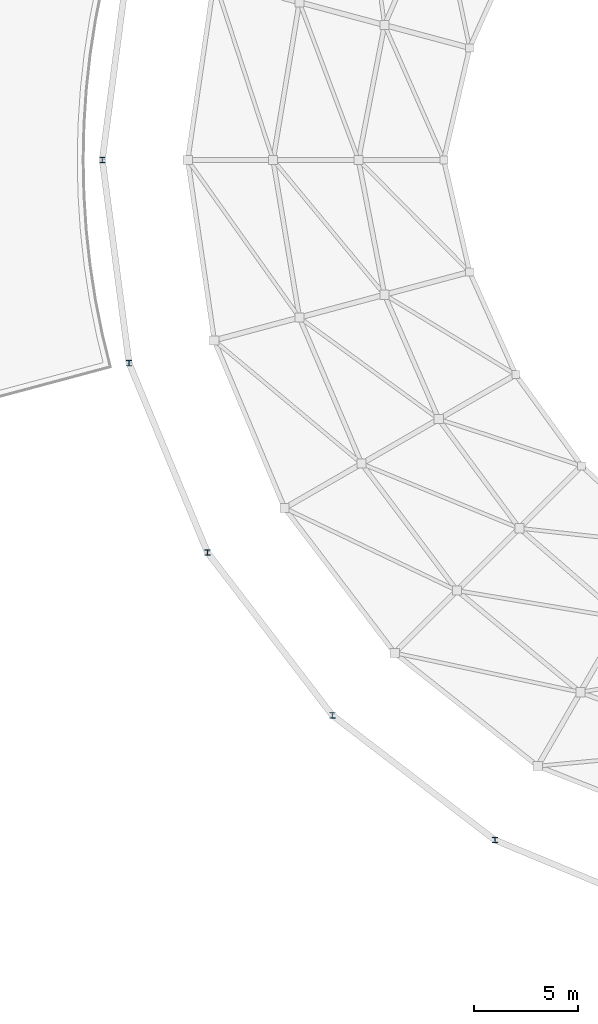
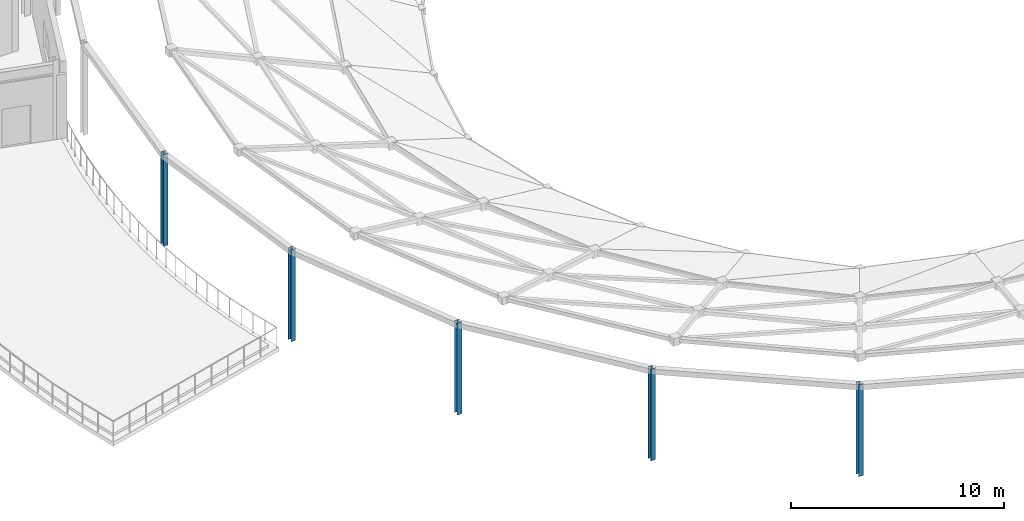
# One storey, part 1 of 89: 5 columns.
"""IFC4 building model written with IfcOpenShell, lengths in metres."""

from ifc_helpers import new_model, si_unit, direction, frame, origin, origin_2d, place, context, subcontext, project, spatial, i_section, extrude, material, material_profile, profile_set, type_object, element, save


model = new_model("IFC4")

# Units and contexts
model_context = context("Model", 3, precision=1e-05, world=origin(), true_north=direction((0.0, 1.0)))
body_context = subcontext(model_context, "Body", "Model", "MODEL_VIEW")
ifc_project = project(units=[si_unit("LENGTHUNIT", "METRE"), si_unit("AREAUNIT", "SQUARE_METRE"), si_unit("VOLUMEUNIT", "CUBIC_METRE"), si_unit("PLANEANGLEUNIT", "RADIAN"), si_unit("MASSUNIT", "GRAM", prefix="KILO")], contexts=[model_context])

# Site, building, storey
site_placement = place(None, origin())
site = spatial("IfcSite", under=ifc_project, at=site_placement, CompositionType="ELEMENT")
building_placement = place(site_placement, origin())
building = spatial("IfcBuilding", under=site, at=building_placement, Name="Almandine Court Research Institute", CompositionType="ELEMENT")
storey_placement = place(building_placement, frame((0.0, 0.0, 18.89990234375)))
storey = spatial("IfcBuildingStorey", under=building, at=storey_placement, Name="L04", CompositionType="ELEMENT", Elevation=18.89990234375)

# Columns
ifc_material = material(Name="Steel ASTM A992 Grade 50", Category="steel")
ifc_material_profile = material_profile(ifc_material, i_section(OverallWidth=0.257080078125, OverallDepth=0.263916015625, WebThickness=0.011962890625, FlangeThickness=0.02001953125, at=origin_2d()), Name="W250x101")
ifc_profile_set = profile_set([ifc_material_profile], Name="Steel ASTM A992 Grade 50")
column_type = type_object("IfcColumnType", Name="Col-C-W09-E", PredefinedType="COLUMN", material=ifc_profile_set)
for number, where, z_axis, x_axis, name in (
    (1, (49.35009765625, 56.0, 0.0), (0.0, 0.0, 1.0), (1.0, 0.0, 0.0), "L04 V2 Column V2-OUT-S12"),
    (2, (50.633056640625, 46.2548828125, 0.0), (0.0, 0.0, 1.0), (1.0, 0.0, 0.0), "L04 V2 Column V2-OUT-S13"),
    (3, (54.39404296875, 37.175048828125, 0.0), (0.0, 0.0, 1.0), (1.0, 0.0, 0.0), "L04 V2 Column V2-OUT-S14"),
    (4, (60.376953125, 29.376953125, 0.0), (0.0, 0.0, 1.0), (1.0, 0.0, 0.0), "L04 V2 Column V2-OUT-S15"),
    (5, (68.175048828125, 23.39404296875, 0.0), (0.0, 0.0, 1.0), (1.0, 0.0, 0.0), "L04 V2 Column V2-OUT-S16"),
):
    element("IfcColumn", number, at=place(storey_placement, frame(where, z_axis=z_axis, x_axis=x_axis)), inside=storey, type_object=column_type, Name=name, PredefinedType="COLUMN", context=body_context, shape_type="SweptSolid", body=[
        extrude(i_section(OverallWidth=0.257080078125, OverallDepth=0.263916015625, WebThickness=0.011962890625, FlangeThickness=0.02001953125, at=origin_2d()), origin(), (0.0, 0.0, 1.0), 5.25),
    ])

save(model, "model.ifc")
